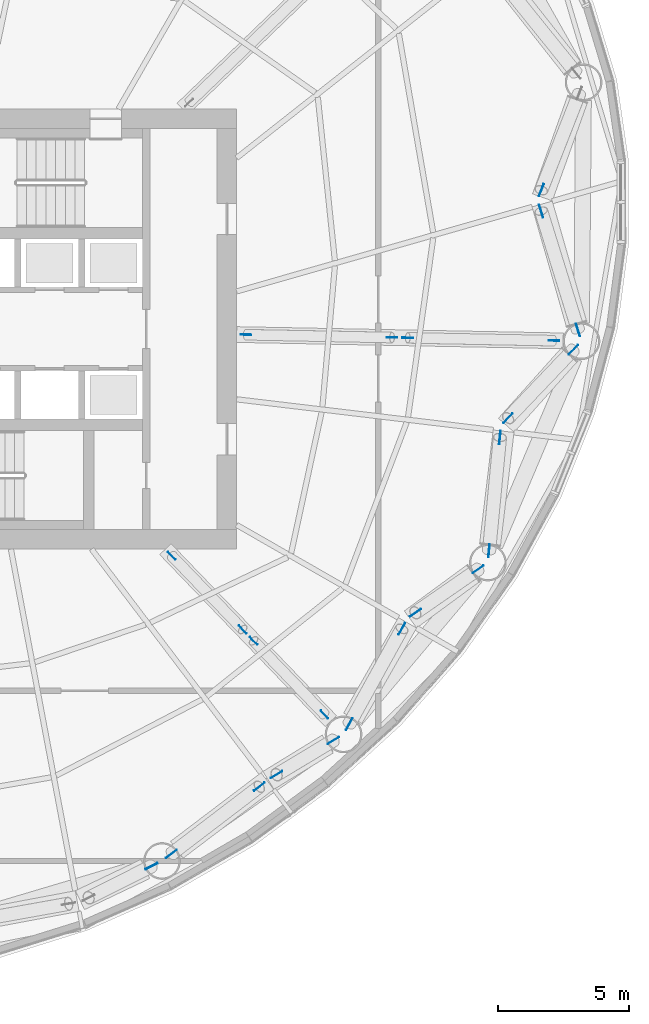
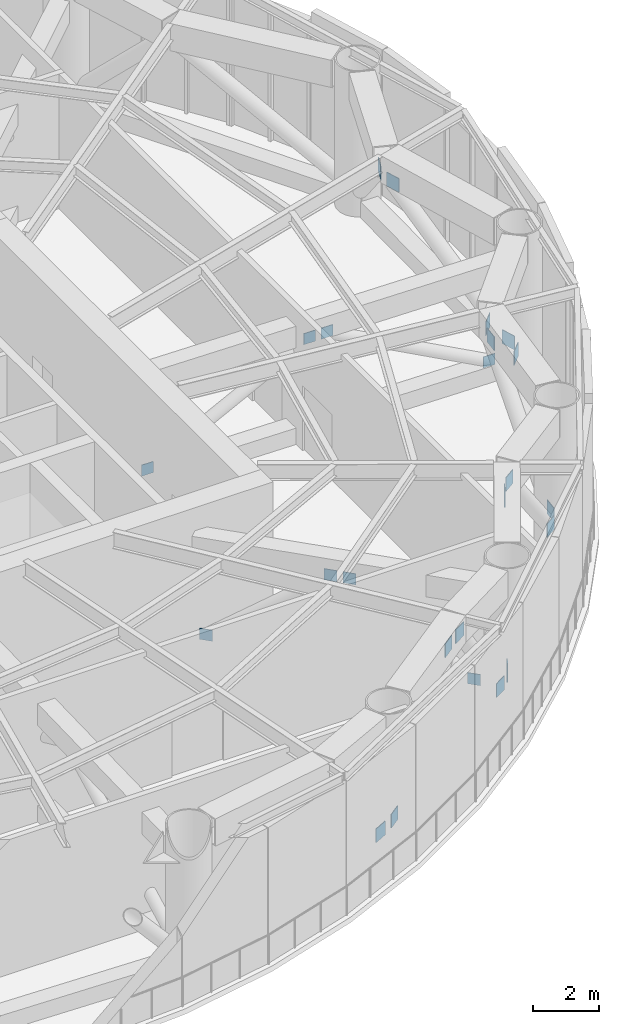
# One storey, part 13 of 19: 24 discrete accessories.
"""IFC4 building model written with IfcOpenShell, lengths in metres."""

import ifcopenshell
import ifcopenshell.guid

model = None  # the IFC model being written
_history = None  # IfcOwnerHistory: only IFC2X3 demands one
_inside = {}  # id of a spatial element -> (the spatial element, [elements in it])
_under = {}  # id of a project, library or spatial element -> (it, [spatial elements below it])
_declared = {}  # id of a project -> (the project, [libraries it declares])
_typed = {}  # id of a type object -> (the type object, [elements of that type])
_made_of = {}  # id of a material, layer set ... -> (it, [elements and type objects made of it])


def new_model(schema):
    """Start an empty IFC model of exactly this schema.

    Asked for "IFC4X3", IfcOpenShell would pick the latest addendum, in which some entities
    have other attributes; the version numbers below select the first issue.
    IFC2X3 requires an IfcOwnerHistory on every rooted entity: one is made here for all.
    """
    global model, _history
    if schema == "IFC4X3":
        model = ifcopenshell.file(schema_version=(4, 3, 0, 0))
    else:
        model = ifcopenshell.file(schema=schema)
    _inside.clear()
    _under.clear()
    _declared.clear()
    _typed.clear()
    _made_of.clear()
    _history = None
    if model.schema == "IFC2X3":
        org = make("IfcOrganization", Name="unknown")
        user = make(
            "IfcPersonAndOrganization",
            ThePerson=make("IfcPerson", FamilyName="unknown"),
            TheOrganization=org,
        )
        app = make(
            "IfcApplication",
            ApplicationDeveloper=org,
            Version="unknown",
            ApplicationFullName="unknown",
            ApplicationIdentifier="unknown",
        )
        _history = make(
            "IfcOwnerHistory",
            OwningUser=user,
            OwningApplication=app,
            ChangeAction="ADDED",
            CreationDate=0,
        )
    return model


def make(cls, **values):
    """One entity of the class cls with the attributes given. An attribute that is None is left unset."""
    return model.create_entity(
        cls, **{name: value for name, value in values.items() if value is not None}
    )


def rooted(cls, **values):
    """An entity with a GlobalId (a new one), such as an element, a storey or a relation."""
    return make(cls, GlobalId=ifcopenshell.guid.new(), OwnerHistory=_history, **values)


def si_unit(unit_type, name, prefix=None):
    """IfcSIUnit, for example si_unit("LENGTHUNIT", "METRE", prefix="MILLI")."""
    return make("IfcSIUnit", UnitType=unit_type, Prefix=prefix, Name=name)


def assignment(units):
    """IfcUnitAssignment: the units of a project."""
    return None if units is None else make("IfcUnitAssignment", Units=units)


def point(xyz):
    """IfcCartesianPoint."""
    return None if xyz is None else make("IfcCartesianPoint", Coordinates=xyz)


def direction(xyz):
    """IfcDirection."""
    return None if xyz is None else make("IfcDirection", DirectionRatios=xyz)


def frame(location, z_axis=None, x_axis=None):
    """IfcAxis2Placement3D, a coordinate frame: its origin and axes. An axis left out is left unset."""
    return make(
        "IfcAxis2Placement3D",
        Location=point(location),
        Axis=direction(z_axis),
        RefDirection=direction(x_axis),
    )


def frame_2d(location, x_axis=None):
    """IfcAxis2Placement2D, a coordinate frame in the plane: its origin and x axis."""
    return make(
        "IfcAxis2Placement2D", Location=point(location), RefDirection=direction(x_axis)
    )


def origin():
    """The frame at (0, 0, 0) with its axes left unset."""
    return frame((0.0, 0.0, 0.0))


def origin_2d():
    """The frame at (0, 0) in the plane with its x axis left unset."""
    return frame_2d((0.0, 0.0))


def place(relative_to, where):
    """IfcLocalPlacement: puts the frame where relative to a parent placement (None: the world)."""
    return make(
        "IfcLocalPlacement", PlacementRelTo=relative_to, RelativePlacement=where
    )


def context(
    kind, dimensions, precision=None, world=None, true_north=None, identifier=None
):
    """IfcGeometricRepresentationContext, for example the 3D "Model" context."""
    return make(
        "IfcGeometricRepresentationContext",
        ContextIdentifier=identifier,
        ContextType=kind,
        CoordinateSpaceDimension=dimensions,
        Precision=precision,
        WorldCoordinateSystem=world,
        TrueNorth=true_north,
    )


def subcontext(parent, identifier, kind, view, scale=None):
    """IfcGeometricRepresentationSubContext, for example "Body" below "Model"."""
    return make(
        "IfcGeometricRepresentationSubContext",
        ContextIdentifier=identifier,
        ContextType=kind,
        ParentContext=parent,
        TargetScale=scale,
        TargetView=view,
    )


def project(units=None, contexts=None):
    """IfcProject with its units and contexts."""
    return rooted(
        "IfcProject",
        Name="project",
        RepresentationContexts=contexts,
        UnitsInContext=assignment(units),
    )


def spatial(cls, under=None, at=None, **own):
    """A site, building, storey or space (cls), placed at a placement, below another one or the project."""
    s = rooted(cls, ObjectPlacement=at, **own)
    if under is not None:
        _under.setdefault(under.id(), (under, []))[1].append(s)
    return s


def profile(cls, at=None, kind="AREA", **sizes):
    """A parametric profile (cls). Its sizes go by their IFC names, for example OverallWidth=200.0."""
    return make(cls, ProfileType=kind, Position=at, **sizes)


def rectangle(**sizes):
    """IfcRectangleProfileDef."""
    return profile("IfcRectangleProfileDef", **sizes)


def extrude(swept, where, along, depth):
    """IfcExtrudedAreaSolid: the profile swept, set in the frame where, extruded along a direction by depth."""
    return make(
        "IfcExtrudedAreaSolid",
        SweptArea=swept,
        Position=where,
        ExtrudedDirection=direction(along),
        Depth=depth,
    )


def shape(context_of_items, identifier, shape_type, items):
    """IfcShapeRepresentation: the items that make up one representation, for example the "Body"."""
    return make(
        "IfcShapeRepresentation",
        ContextOfItems=context_of_items,
        RepresentationIdentifier=identifier,
        RepresentationType=shape_type,
        Items=items,
    )


def made_of(thing, what):
    """Note that an element or type object is made of a material, layer set ...; save() writes the relation."""
    if what is not None:
        _made_of.setdefault(what.id(), (what, []))[1].append(thing)
    return thing


def element(
    cls,
    number,
    at=None,
    inside=None,
    cuts=None,
    type_object=None,
    material=None,
    context=None,
    identifier="Body",
    shape_type=None,
    held_by="IfcProductDefinitionShape",
    body=None,
    shapes=None,
    **own,
):
    """One element of the class cls, such as IfcWall. Its Tag is "e" and its number.

    at: its placement. inside: the storey or other place that contains it. cuts: it is an
    opening in that element (IfcRelVoidsElement). A single representation is given by context,
    identifier, shape_type and body (its items); several are given by shapes. held_by: the class
    of the entity that holds the representations. save() writes the other relations.
    """
    e = rooted(cls, Tag="e%d" % number, ObjectPlacement=at, **own)
    if body is not None:
        shapes = [shape(context, identifier, shape_type, body)]
    if shapes is not None:
        e.Representation = make(held_by, Representations=shapes)
    if inside is not None:
        _inside.setdefault(inside.id(), (inside, []))[1].append(e)
    if cuts is not None:
        rooted(
            "IfcRelVoidsElement", RelatingBuildingElement=cuts, RelatedOpeningElement=e
        )
    if type_object is not None:
        _typed.setdefault(type_object.id(), (type_object, []))[1].append(e)
    return made_of(e, material)


def aggregate(whole, parts):
    """IfcRelAggregates: a whole, such as a stair, and the parts it consists of."""
    return rooted("IfcRelAggregates", RelatingObject=whole, RelatedObjects=parts)


def save(model, path):
    """Write the relations noted so far, then the file.

    IfcRelAggregates (storeys below a building ...), IfcRelContainedInSpatialStructure (elements
    in a storey), IfcRelDefinesByType, IfcRelAssociatesMaterial and IfcRelDeclares: one each for
    every whole, place, type object, material and project.
    """
    for whole, parts in _under.values():
        aggregate(whole, parts)
    for where, things in _inside.values():
        rooted(
            "IfcRelContainedInSpatialStructure",
            RelatedElements=things,
            RelatingStructure=where,
        )
    for kind, things in _typed.values():
        rooted("IfcRelDefinesByType", RelatedObjects=things, RelatingType=kind)
    for what, things in _made_of.values():
        rooted("IfcRelAssociatesMaterial", RelatedObjects=things, RelatingMaterial=what)
    for by, libraries in _declared.values():
        rooted("IfcRelDeclares", RelatingContext=by, RelatedDefinitions=libraries)
    model.write(path)


model = new_model("IFC4")

# Units and contexts
model_context = context("Model", 3, precision=1e-05, world=origin(), true_north=direction((0.0, 1.0)))
body_context = subcontext(model_context, "Body", "Model", "MODEL_VIEW")
ifc_project = project(units=[si_unit("LENGTHUNIT", "METRE"), si_unit("AREAUNIT", "SQUARE_METRE"), si_unit("VOLUMEUNIT", "CUBIC_METRE"), si_unit("PLANEANGLEUNIT", "RADIAN"), si_unit("MASSUNIT", "GRAM", prefix="KILO")], contexts=[model_context])

# Site, building, storey
site_placement = place(None, origin())
site = spatial("IfcSite", under=ifc_project, at=site_placement, CompositionType="ELEMENT")
building_placement = place(site_placement, origin())
building = spatial("IfcBuilding", under=site, at=building_placement, Name="Vermilion Reach Broadcast Tower", CompositionType="ELEMENT")
storey_placement = place(building_placement, frame((0.0, 0.0, 190.199951171875)))
storey = spatial("IfcBuildingStorey", under=building, at=storey_placement, Name="L46", CompositionType="ELEMENT", Elevation=190.199951171875)

# Discrete accessories
for number, where, z_axis, x_axis, name in (
    (1, (1.54931640625, -20.50244140625, 0.5458984375), (0.0, 0.0, 1.0), (0.448300471679, -0.89388292695, 0.0), "Gusset plate BT3-D11B foot"),
    (2, (2.309326171875, -20.027587890625, 0.5458984375), (0.0, 0.0, 1.0), (-0.606798738682, 0.794855515634, 0.0), "Gusset plate BT3-D12A foot"),
    (3, (5.665283203125, -17.4658203125, 4.0859375), (0.0, 0.0, 1.0), (-0.606798738682, 0.794855515634, 0.0), "Gusset plate BT3-D12A head"),
    (4, (8.49365234375, -15.699462890625, 0.5458984375), (0.0, 0.0, 1.0), (0.515980563901, -0.856600290495, 0.0), "Gusset plate BT3-D12B foot"),
    (5, (6.3212890625, -17.008056640625, 4.0859375), (0.0, 0.0, 1.0), (0.515980563901, -0.856600290495, 0.0), "Gusset plate BT3-D12B head"),
    (6, (9.096923828125, -15.073486328125, 0.5458984375), (0.0, 0.0, 1.0), (-0.875163403674, 0.483827466014, 0.0), "Gusset plate BT3-D13A foot"),
    (7, (11.10546875, -11.440185546875, 4.0859375), (0.0, 0.0, 1.0), (-0.875163403674, 0.483827466014, 0.0), "Gusset plate BT3-D13A head"),
    (8, (14.018310546875, -9.167724609375, 0.5458984375), (0.0, 0.0, 1.0), (0.569156237496, -0.822229394585, 0.0), "Gusset plate BT3-D13B foot"),
    (9, (11.6201171875, -10.82763671875, 4.0859375), (0.0, 0.0, 1.0), (0.569156237496, -0.822229394585, 0.0), "Gusset plate BT3-D13B head"),
    (10, (14.431396484375, -8.463623046875, 0.5458984375), (0.0, 0.0, 1.0), (-0.995420513513, 0.095592893449, 0.0), "Gusset plate BT3-D14A foot"),
    (11, (14.846923828125, -4.135986328125, 4.0859375), (0.0, 0.0, 1.0), (-0.995420513513, 0.095592893449, 0.0), "Gusset plate BT3-D14A head"),
    (12, (17.648681640625, -0.789794921875, 0.5458984375), (0.0, 0.0, 1.0), (0.723417199093, -0.690411150009, 0.0), "Gusset plate BT3-D14B foot"),
    (13, (15.158447265625, -3.399169921875, 4.0859375), (0.0, 0.0, 1.0), (0.723417199093, -0.690411150009, 0.0), "Gusset plate BT3-D14B head"),
    (14, (17.826171875, -0.034423828125, 0.5458984375), (0.0, 0.0, 1.0), (-0.955176844678, -0.296035800859, 0.0), "Gusset plate BT3-D15A foot"),
    (15, (16.42041015625, 4.50146484375, 4.0859375), (0.0, 0.0, 1.0), (-0.955176844678, -0.296035800859, 0.0), "Gusset plate BT3-D15A head"),
    (16, (16.427001953125, 5.301513671875, 4.0859375), (0.0, 0.0, 1.0), (0.930994277997, -0.365033771501, 0.0), "Gusset plate BT3-D15B head"),
):
    element("IfcDiscreteAccessory", number, at=place(storey_placement, frame(where, z_axis=z_axis, x_axis=x_axis)), inside=storey, Name=name, PredefinedType="NOTDEFINED", context=body_context, shape_type="SweptSolid", body=[
        extrude(rectangle(XDim=0.02490234375, YDim=0.508056640625, at=origin_2d()), origin(), (0.0, 0.0, 1.0), 0.508056640625),
    ])
for number, where, z_axis, x_axis, name in (
    (17, (2.3232421875, -8.65234375, 0.39697265625), (0.0, 0.0, 1.0), (0.720672123183, 0.693276056753, 0.0), "Gusset plate OR3-13-DA foot"),
    (18, (5.029296875, -11.465087890625, 3.34716796875), (0.0, 0.0, 1.0), (0.720672123183, 0.693276056753, 0.0), "Gusset plate OR3-13-DA head"),
    (19, (8.1513671875, -14.71044921875, 0.39697265625), (0.0, 0.0, 1.0), (0.720672123183, 0.693276056753, 0.0), "Gusset plate OR3-13-DB foot"),
    (20, (5.4453125, -11.8974609375, 3.34716796875), (0.0, 0.0, 1.0), (0.720672123183, 0.693276056753, 0.0), "Gusset plate OR3-13-DB head"),
    (21, (5.14990234375, -0.216064453125, 0.39697265625), (0.0, 0.0, 1.0), (0.019371936498, 0.999812346431, 0.0), "Gusset plate OR3-15-DA foot"),
    (22, (10.729736328125, -0.32421875, 3.34716796875), (0.0, 0.0, 1.0), (0.019371936498, 0.999812346431, 0.0), "Gusset plate OR3-15-DA head"),
    (23, (16.90966796875, -0.44384765625, 0.39697265625), (0.0, 0.0, 1.0), (0.019371936498, 0.999812346431, 0.0), "Gusset plate OR3-15-DB foot"),
    (24, (11.329833984375, -0.335693359375, 3.34716796875), (0.0, 0.0, 1.0), (0.019371936498, 0.999812346431, 0.0), "Gusset plate OR3-15-DB head"),
):
    element("IfcDiscreteAccessory", number, at=place(storey_placement, frame(where, z_axis=z_axis, x_axis=x_axis)), inside=storey, Name=name, PredefinedType="NOTDEFINED", context=body_context, shape_type="SweptSolid", body=[
        extrude(rectangle(XDim=0.02490234375, YDim=0.406005859375, at=origin_2d()), origin(), (0.0, 0.0, 1.0), 0.406005859375),
    ])

save(model, "model.ifc")
